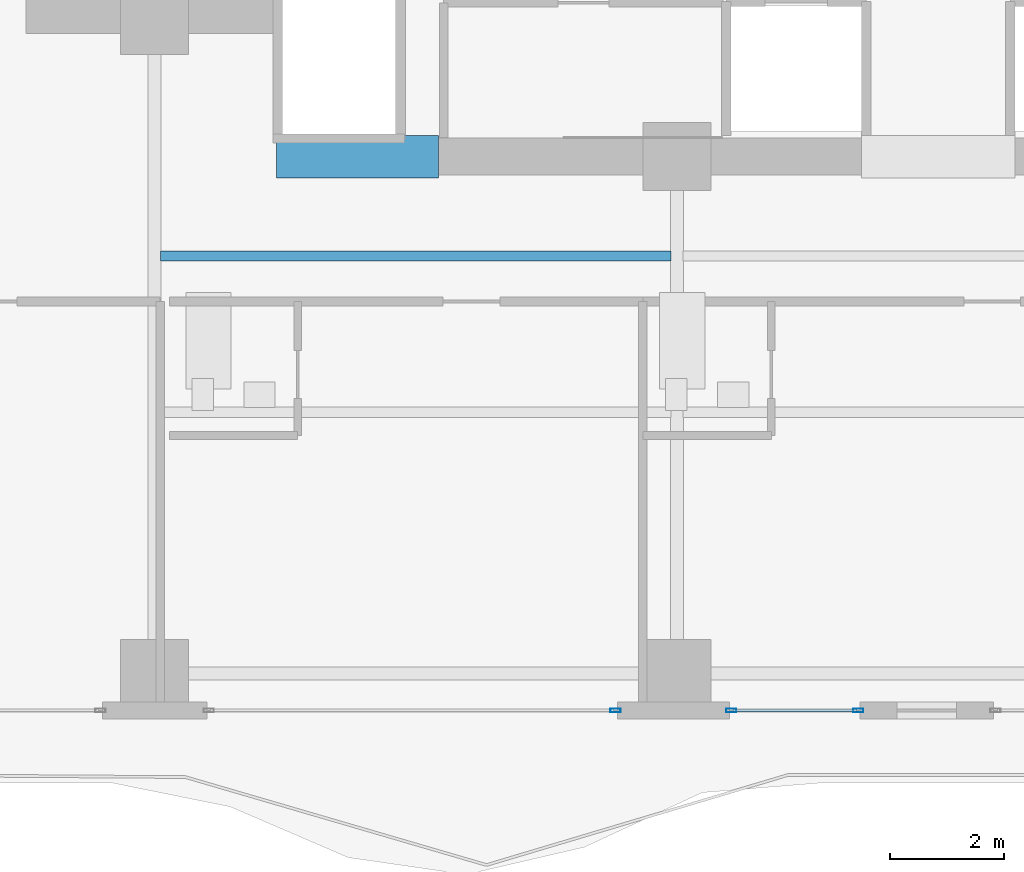
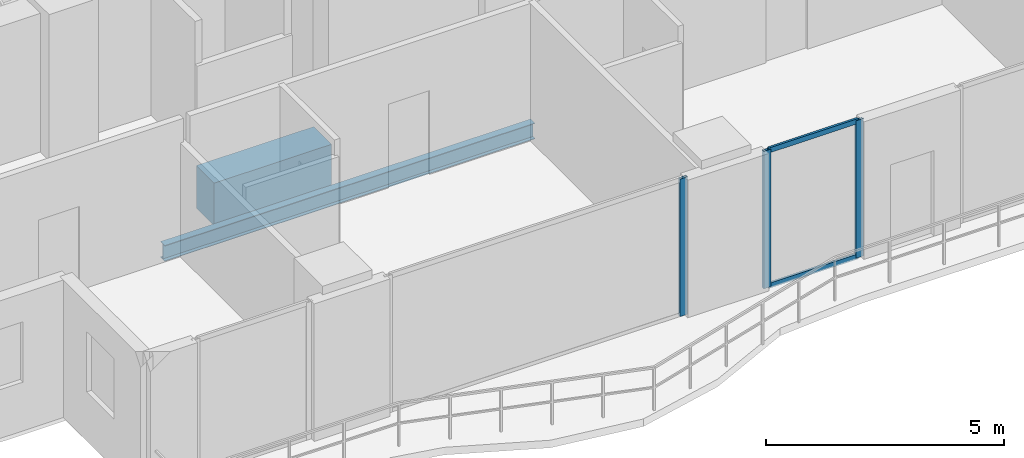
# One storey, part 5 of 32: 5 members, 2 beams, 2 elements without a shape of their own.
"""IFC4 building model written with IfcOpenShell, lengths in metres."""

import ifcopenshell
import ifcopenshell.guid

model = None  # the IFC model being written
_history = None  # IfcOwnerHistory: only IFC2X3 demands one
_inside = {}  # id of a spatial element -> (the spatial element, [elements in it])
_under = {}  # id of a project, library or spatial element -> (it, [spatial elements below it])
_declared = {}  # id of a project -> (the project, [libraries it declares])
_typed = {}  # id of a type object -> (the type object, [elements of that type])
_made_of = {}  # id of a material, layer set ... -> (it, [elements and type objects made of it])


def new_model(schema):
    """Start an empty IFC model of exactly this schema.

    Asked for "IFC4X3", IfcOpenShell would pick the latest addendum, in which some entities
    have other attributes; the version numbers below select the first issue.
    IFC2X3 requires an IfcOwnerHistory on every rooted entity: one is made here for all.
    """
    global model, _history
    if schema == "IFC4X3":
        model = ifcopenshell.file(schema_version=(4, 3, 0, 0))
    else:
        model = ifcopenshell.file(schema=schema)
    _inside.clear()
    _under.clear()
    _declared.clear()
    _typed.clear()
    _made_of.clear()
    _history = None
    if model.schema == "IFC2X3":
        org = make("IfcOrganization", Name="unknown")
        user = make(
            "IfcPersonAndOrganization",
            ThePerson=make("IfcPerson", FamilyName="unknown"),
            TheOrganization=org,
        )
        app = make(
            "IfcApplication",
            ApplicationDeveloper=org,
            Version="unknown",
            ApplicationFullName="unknown",
            ApplicationIdentifier="unknown",
        )
        _history = make(
            "IfcOwnerHistory",
            OwningUser=user,
            OwningApplication=app,
            ChangeAction="ADDED",
            CreationDate=0,
        )
    return model


def make(cls, **values):
    """One entity of the class cls with the attributes given. An attribute that is None is left unset."""
    return model.create_entity(
        cls, **{name: value for name, value in values.items() if value is not None}
    )


def rooted(cls, **values):
    """An entity with a GlobalId (a new one), such as an element, a storey or a relation."""
    return make(cls, GlobalId=ifcopenshell.guid.new(), OwnerHistory=_history, **values)


def si_unit(unit_type, name, prefix=None):
    """IfcSIUnit, for example si_unit("LENGTHUNIT", "METRE", prefix="MILLI")."""
    return make("IfcSIUnit", UnitType=unit_type, Prefix=prefix, Name=name)


def assignment(units):
    """IfcUnitAssignment: the units of a project."""
    return None if units is None else make("IfcUnitAssignment", Units=units)


def point(xyz):
    """IfcCartesianPoint."""
    return None if xyz is None else make("IfcCartesianPoint", Coordinates=xyz)


def direction(xyz):
    """IfcDirection."""
    return None if xyz is None else make("IfcDirection", DirectionRatios=xyz)


def frame(location, z_axis=None, x_axis=None):
    """IfcAxis2Placement3D, a coordinate frame: its origin and axes. An axis left out is left unset."""
    return make(
        "IfcAxis2Placement3D",
        Location=point(location),
        Axis=direction(z_axis),
        RefDirection=direction(x_axis),
    )


def frame_2d(location, x_axis=None):
    """IfcAxis2Placement2D, a coordinate frame in the plane: its origin and x axis."""
    return make(
        "IfcAxis2Placement2D", Location=point(location), RefDirection=direction(x_axis)
    )


def origin():
    """The frame at (0, 0, 0) with its axes left unset."""
    return frame((0.0, 0.0, 0.0))


def origin_2d():
    """The frame at (0, 0) in the plane with its x axis left unset."""
    return frame_2d((0.0, 0.0))


def place(relative_to, where):
    """IfcLocalPlacement: puts the frame where relative to a parent placement (None: the world)."""
    return make(
        "IfcLocalPlacement", PlacementRelTo=relative_to, RelativePlacement=where
    )


def context(
    kind, dimensions, precision=None, world=None, true_north=None, identifier=None
):
    """IfcGeometricRepresentationContext, for example the 3D "Model" context."""
    return make(
        "IfcGeometricRepresentationContext",
        ContextIdentifier=identifier,
        ContextType=kind,
        CoordinateSpaceDimension=dimensions,
        Precision=precision,
        WorldCoordinateSystem=world,
        TrueNorth=true_north,
    )


def subcontext(parent, identifier, kind, view, scale=None):
    """IfcGeometricRepresentationSubContext, for example "Body" below "Model"."""
    return make(
        "IfcGeometricRepresentationSubContext",
        ContextIdentifier=identifier,
        ContextType=kind,
        ParentContext=parent,
        TargetScale=scale,
        TargetView=view,
    )


def project(units=None, contexts=None):
    """IfcProject with its units and contexts."""
    return rooted(
        "IfcProject",
        Name="project",
        RepresentationContexts=contexts,
        UnitsInContext=assignment(units),
    )


def spatial(cls, under=None, at=None, **own):
    """A site, building, storey or space (cls), placed at a placement, below another one or the project."""
    s = rooted(cls, ObjectPlacement=at, **own)
    if under is not None:
        _under.setdefault(under.id(), (under, []))[1].append(s)
    return s


def profile(cls, at=None, kind="AREA", **sizes):
    """A parametric profile (cls). Its sizes go by their IFC names, for example OverallWidth=200.0."""
    return make(cls, ProfileType=kind, Position=at, **sizes)


def rectangle(**sizes):
    """IfcRectangleProfileDef."""
    return profile("IfcRectangleProfileDef", **sizes)


def hollow_rectangle(**sizes):
    """IfcRectangleHollowProfileDef."""
    return profile("IfcRectangleHollowProfileDef", **sizes)


def i_section(**sizes):
    """IfcIShapeProfileDef."""
    return profile("IfcIShapeProfileDef", **sizes)


def extrude(swept, where, along, depth):
    """IfcExtrudedAreaSolid: the profile swept, set in the frame where, extruded along a direction by depth."""
    return make(
        "IfcExtrudedAreaSolid",
        SweptArea=swept,
        Position=where,
        ExtrudedDirection=direction(along),
        Depth=depth,
    )


def shape(context_of_items, identifier, shape_type, items):
    """IfcShapeRepresentation: the items that make up one representation, for example the "Body"."""
    return make(
        "IfcShapeRepresentation",
        ContextOfItems=context_of_items,
        RepresentationIdentifier=identifier,
        RepresentationType=shape_type,
        Items=items,
    )


def material(Name=None, Category=None):
    """IfcMaterial."""
    return make("IfcMaterial", Name=Name, Category=Category)


def layer(
    of_material, thickness, ventilated=None, Name=None, Category=None, Priority=None
):
    """IfcMaterialLayer: one layer of a wall or slab, of a material (None: an air gap)."""
    return make(
        "IfcMaterialLayer",
        Material=of_material,
        LayerThickness=thickness,
        IsVentilated=ventilated,
        Name=Name,
        Category=Category,
        Priority=Priority,
    )


def layer_set(layers, Name=None):
    """IfcMaterialLayerSet."""
    return make("IfcMaterialLayerSet", MaterialLayers=layers, LayerSetName=Name)


def material_profile(
    of_material, cross_section, Name=None, Category=None, Priority=None
):
    """IfcMaterialProfile: a cross section and its material."""
    return make(
        "IfcMaterialProfile",
        Name=Name,
        Material=of_material,
        Profile=cross_section,
        Priority=Priority,
        Category=Category,
    )


def profile_set(profiles, Name=None, composite=None):
    """IfcMaterialProfileSet."""
    return make(
        "IfcMaterialProfileSet",
        Name=Name,
        MaterialProfiles=profiles,
        CompositeProfile=composite,
    )


def made_of(thing, what):
    """Note that an element or type object is made of a material, layer set ...; save() writes the relation."""
    if what is not None:
        _made_of.setdefault(what.id(), (what, []))[1].append(thing)
    return thing


def type_object(cls, material=None, **own):
    """A type object (cls), such as IfcWallType, which elements share."""
    return made_of(rooted(cls, **own), material)


def element(
    cls,
    number,
    at=None,
    inside=None,
    cuts=None,
    type_object=None,
    material=None,
    context=None,
    identifier="Body",
    shape_type=None,
    held_by="IfcProductDefinitionShape",
    body=None,
    shapes=None,
    **own,
):
    """One element of the class cls, such as IfcWall. Its Tag is "e" and its number.

    at: its placement. inside: the storey or other place that contains it. cuts: it is an
    opening in that element (IfcRelVoidsElement). A single representation is given by context,
    identifier, shape_type and body (its items); several are given by shapes. held_by: the class
    of the entity that holds the representations. save() writes the other relations.
    """
    e = rooted(cls, Tag="e%d" % number, ObjectPlacement=at, **own)
    if body is not None:
        shapes = [shape(context, identifier, shape_type, body)]
    if shapes is not None:
        e.Representation = make(held_by, Representations=shapes)
    if inside is not None:
        _inside.setdefault(inside.id(), (inside, []))[1].append(e)
    if cuts is not None:
        rooted(
            "IfcRelVoidsElement", RelatingBuildingElement=cuts, RelatedOpeningElement=e
        )
    if type_object is not None:
        _typed.setdefault(type_object.id(), (type_object, []))[1].append(e)
    return made_of(e, material)


def aggregate(whole, parts):
    """IfcRelAggregates: a whole, such as a stair, and the parts it consists of."""
    return rooted("IfcRelAggregates", RelatingObject=whole, RelatedObjects=parts)


def save(model, path):
    """Write the relations noted so far, then the file.

    IfcRelAggregates (storeys below a building ...), IfcRelContainedInSpatialStructure (elements
    in a storey), IfcRelDefinesByType, IfcRelAssociatesMaterial and IfcRelDeclares: one each for
    every whole, place, type object, material and project.
    """
    for whole, parts in _under.values():
        aggregate(whole, parts)
    for where, things in _inside.values():
        rooted(
            "IfcRelContainedInSpatialStructure",
            RelatedElements=things,
            RelatingStructure=where,
        )
    for kind, things in _typed.values():
        rooted("IfcRelDefinesByType", RelatedObjects=things, RelatingType=kind)
    for what, things in _made_of.values():
        rooted("IfcRelAssociatesMaterial", RelatedObjects=things, RelatingMaterial=what)
    for by, libraries in _declared.values():
        rooted("IfcRelDeclares", RelatingContext=by, RelatedDefinitions=libraries)
    model.write(path)


model = new_model("IFC4")

# Units and contexts
model_context = context("Model", 3, precision=1e-05, world=origin(), true_north=direction((0.0, 1.0)))
body_context = subcontext(model_context, "Body", "Model", "MODEL_VIEW")
ifc_project = project(units=[si_unit("LENGTHUNIT", "METRE"), si_unit("AREAUNIT", "SQUARE_METRE"), si_unit("VOLUMEUNIT", "CUBIC_METRE"), si_unit("PLANEANGLEUNIT", "RADIAN"), si_unit("MASSUNIT", "GRAM", prefix="KILO")], contexts=[model_context])

# Site, building, storey
site_placement = place(None, origin())
site = spatial("IfcSite", under=ifc_project, at=site_placement, CompositionType="ELEMENT")
building_placement = place(site_placement, origin())
building = spatial("IfcBuilding", under=site, at=building_placement, Name="Zuhayl Quay Hotel", CompositionType="ELEMENT")
storey_placement = place(building_placement, frame((0.0, 0.0, 184.89990234375)))
storey = spatial("IfcBuildingStorey", under=building, at=storey_placement, Name="L46", CompositionType="ELEMENT", Elevation=184.89990234375)

# Beams
ifc_material_1 = material(Name="Concrete C60/75", Category="concrete")
ifc_material_profile_1 = material_profile(ifc_material_1, rectangle(XDim=0.75, YDim=1.10009765625, at=origin_2d()), Name="RC750X1100")
ifc_profile_set_1 = profile_set([ifc_material_profile_1], Name="Concrete C60/75")
beam_type_1 = type_object("IfcBeamType", Name="BM_CB2_RC750", PredefinedType="T_BEAM", material=ifc_profile_set_1)
beam_1_placement = place(storey_placement, frame((-11.64990234375, 2.14990234375, -0.77001953125), z_axis=(1.0, 0.0, 0.0), x_axis=(0.0, 1.0, 0.0)))
element("IfcBeam", 1, at=beam_1_placement, inside=storey, type_object=beam_type_1, Name="L46 Core Coupling Beam SW", PredefinedType="T_BEAM", context=body_context, shape_type="SweptSolid", body=[
    extrude(rectangle(XDim=0.75, YDim=1.10009765625, at=origin_2d()), origin(), (0.0, 0.0, 1.0), 2.849853515625),
])
ifc_material_2 = material(Name="Steel ASTM A992 Grade 50", Category="steel")
ifc_material_profile_2 = material_profile(ifc_material_2, i_section(OverallWidth=0.177978515625, OverallDepth=0.406005859375, WebThickness=0.0078125, FlangeThickness=0.0126953125, at=origin_2d()), Name="W16X40")
ifc_profile_set_2 = profile_set([ifc_material_profile_2], Name="Steel ASTM A992 Grade 50")
beam_type_2 = type_object("IfcBeamType", Name="BM_J2B_W16X40", PredefinedType="JOIST", material=ifc_profile_set_2)
beam_2_placement = place(storey_placement, frame((-13.694091796875, 0.39990234375, -0.4228515625), z_axis=(1.0, 0.0, 0.0), x_axis=(0.0, 1.0, 0.0)))
element("IfcBeam", 2, at=beam_2_placement, inside=storey, type_object=beam_type_2, Name="L46 Floor Beam FJ_L46_8_1", PredefinedType="JOIST", context=body_context, shape_type="SweptSolid", body=[
    extrude(i_section(OverallWidth=0.177978515625, OverallDepth=0.406005859375, WebThickness=0.0078125, FlangeThickness=0.0126953125, at=origin_2d()), origin(), (0.0, 0.0, 1.0), 8.988037109375),
])

# Curtain wall, members
ifc_material_3 = material(Name="Anodised Aluminium 6063-T6", Category="aluminium")
ifc_layer = layer(ifc_material_3, 0.175048828125, Name="Anodised Aluminium 6063-T6", Category="aluminium")
ifc_layer_set = layer_set([ifc_layer], Name="Anodised Aluminium 6063-T6")
curtain_wall_type = type_object("IfcCurtainWallType", Name="CW_SYS_Z3", PredefinedType="USERDEFINED", material=ifc_layer_set)
curtain_wall_1_placement = place(storey_placement, origin())
curtain_wall_1 = element("IfcCurtainWall", 3, at=curtain_wall_1_placement, inside=storey, type_object=curtain_wall_type, Name="L46 Curtain Wall ENV_L46_S_CW4", ObjectType="UNITISED CURTAIN WALL", PredefinedType="USERDEFINED")
ifc_material_4 = material(Name="Black-anodised aluminium 6063-T6", Category="aluminium")
ifc_material_profile_3 = material_profile(ifc_material_4, hollow_rectangle(XDim=0.06494140625, YDim=0.179931640625, WallThickness=0.00341796875, at=origin_2d()), Name="ALU180X65")
ifc_profile_set_3 = profile_set([ifc_material_profile_3], Name="Black-anodised aluminium 6063-T6")
member_type_1 = type_object("IfcMemberType", Name="MB_CW_MUL_180", PredefinedType="MULLION", material=ifc_profile_set_3)
member_1_placement = place(storey_placement, frame((-1.407470703125, -7.60009765625, 0.0), z_axis=(0.0, 0.0, 1.0), x_axis=(0.0, -1.0, 0.0)))
member_1 = element("IfcMember", 4, at=member_1_placement, type_object=member_type_1, Name="CW-Z3 mullion 1", PredefinedType="MULLION", context=body_context, shape_type="SweptSolid", body=[
    extrude(hollow_rectangle(XDim=0.06494140625, YDim=0.179931640625, WallThickness=0.00341796875, at=origin_2d()), origin(), (0.0, 0.0, 1.0), 3.530029296875),
])
member_2_placement = place(storey_placement, frame((-3.6474609375, -7.60009765625, 0.0), z_axis=(0.0, 0.0, 1.0), x_axis=(0.0, -1.0, 0.0)))
member_2 = element("IfcMember", 5, at=member_2_placement, type_object=member_type_1, Name="CW-Z3 mullion 2", PredefinedType="MULLION", context=body_context, shape_type="SweptSolid", body=[
    extrude(hollow_rectangle(XDim=0.06494140625, YDim=0.179931640625, WallThickness=0.00341796875, at=origin_2d()), origin(), (0.0, 0.0, 1.0), 3.530029296875),
])

# Curtain wall, member
curtain_wall_2_placement = place(storey_placement, origin())
curtain_wall_2 = element("IfcCurtainWall", 6, at=curtain_wall_2_placement, inside=storey, type_object=curtain_wall_type, Name="L46 Curtain Wall ENV_L46_S_CW5", ObjectType="UNITISED CURTAIN WALL", PredefinedType="USERDEFINED")
member_3_placement = place(storey_placement, frame((-5.6826171875, -7.60009765625, 0.0), z_axis=(0.0, 0.0, 1.0), x_axis=(0.0, -1.0, 0.0)))
member_3 = element("IfcMember", 7, at=member_3_placement, type_object=member_type_1, Name="CW-Z3 mullion 1", PredefinedType="MULLION", context=body_context, shape_type="SweptSolid", body=[
    extrude(hollow_rectangle(XDim=0.06494140625, YDim=0.179931640625, WallThickness=0.00341796875, at=origin_2d()), origin(), (0.0, 0.0, 1.0), 3.530029296875),
])
aggregate(curtain_wall_2, [member_3])

# Member
ifc_material_profile_4 = material_profile(ifc_material_4, hollow_rectangle(XDim=0.054931640625, YDim=0.1298828125, WallThickness=0.0029296875, at=origin_2d()), Name="ALU130X55")
ifc_profile_set_4 = profile_set([ifc_material_profile_4], Name="Black-anodised aluminium 6063-T6")
member_type_2 = type_object("IfcMemberType", Name="MB_CW_TRN_130", PredefinedType="USERDEFINED", material=ifc_profile_set_4)
member_4_placement = place(storey_placement, frame((-1.43994140625, -7.60009765625, 0.027587890625), z_axis=(-1.0, 0.0, 0.0), x_axis=(0.0, -1.0, 0.0)))
member_4 = element("IfcMember", 8, at=member_4_placement, type_object=member_type_2, Name="CW-Z3 transom 1.1", ObjectType="TRANSOM", PredefinedType="USERDEFINED", context=body_context, shape_type="SweptSolid", body=[
    extrude(hollow_rectangle(XDim=0.054931640625, YDim=0.1298828125, WallThickness=0.0029296875, at=origin_2d()), origin(), (0.0, 0.0, 1.0), 2.175048828125),
])

member_5_placement = place(storey_placement, frame((-1.43994140625, -7.60009765625, 3.502685546875), z_axis=(-1.0, 0.0, 0.0), x_axis=(0.0, -1.0, 0.0)))
member_5 = element("IfcMember", 9, at=member_5_placement, type_object=member_type_2, Name="CW-Z3 transom 1.2", ObjectType="TRANSOM", PredefinedType="USERDEFINED", context=body_context, shape_type="SweptSolid", body=[
    extrude(hollow_rectangle(XDim=0.054931640625, YDim=0.1298828125, WallThickness=0.0029296875, at=origin_2d()), origin(), (0.0, 0.0, 1.0), 2.175048828125),
])

aggregate(curtain_wall_1, [member_1, member_2, member_4, member_5])

save(model, "model.ifc")
